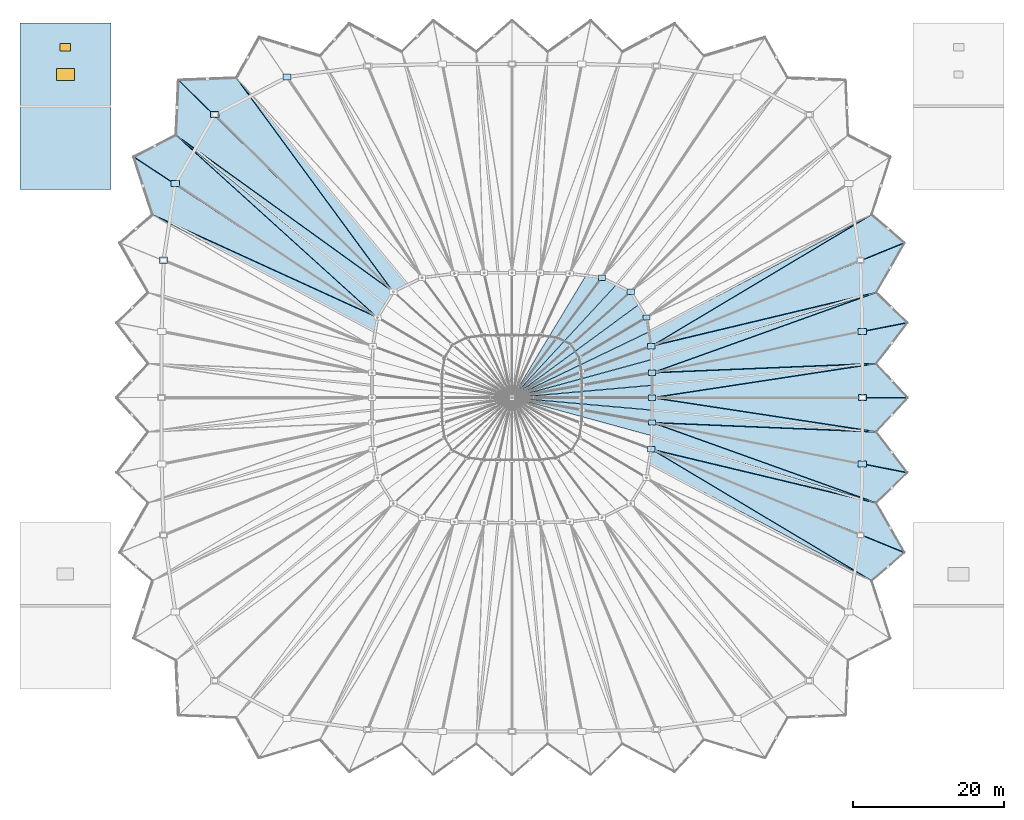
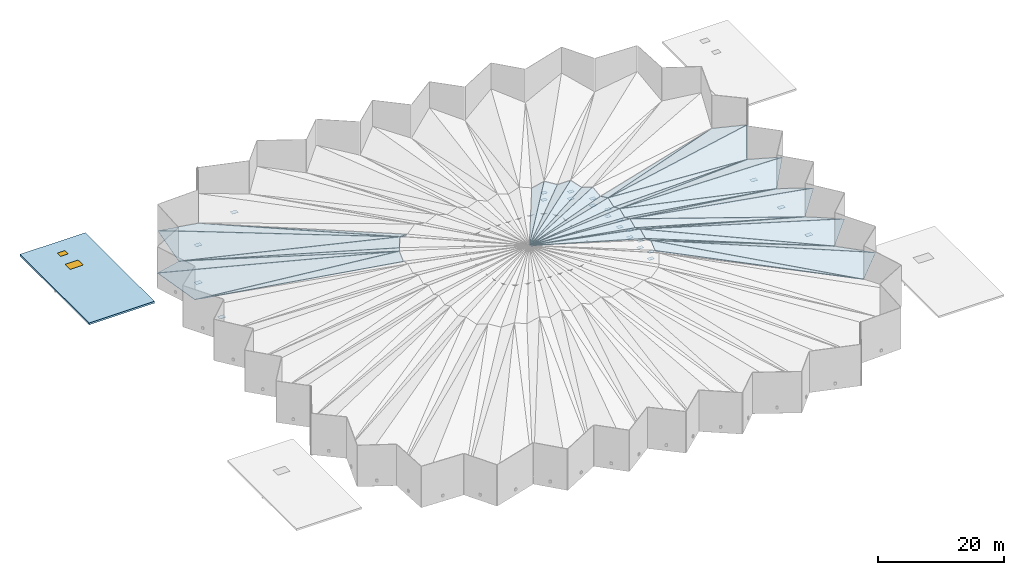
# One storey, part 31 of 41: 43 slabs, 23 plates, 2 windows, 2 openings.
"""IFC4 building model written with IfcOpenShell, lengths in metres."""

from ifc_helpers import new_model, si_unit, direction, frame, origin, origin_2d, place, context, subcontext, project, spatial, polyline, rectangle, outline, extrude, material, layer, layer_set, type_object, element, fill, save


model = new_model("IFC4")

# Units and contexts
model_context = context("Model", 3, precision=1e-05, world=origin(), true_north=direction((0.0, 1.0)))
body_context = subcontext(model_context, "Body", "Model", "MODEL_VIEW")
ifc_project = project(units=[si_unit("LENGTHUNIT", "METRE"), si_unit("AREAUNIT", "SQUARE_METRE"), si_unit("VOLUMEUNIT", "CUBIC_METRE"), si_unit("PLANEANGLEUNIT", "RADIAN"), si_unit("MASSUNIT", "GRAM", prefix="KILO")], contexts=[model_context])

# Site, building, storey
site_placement = place(None, origin())
site = spatial("IfcSite", under=ifc_project, at=site_placement, CompositionType="ELEMENT")
building_placement = place(site_placement, origin())
building = spatial("IfcBuilding", under=site, at=building_placement, Name="Luwafu Chhajja Arena", CompositionType="ELEMENT")
storey_placement = place(building_placement, frame((0.0, 0.0, 29.699951171875)))
storey = spatial("IfcBuildingStorey", under=building, at=storey_placement, Name="RF", CompositionType="ELEMENT", Elevation=29.699951171875)

# Slabs
ifc_material_1 = material(Name="Precast concrete C40/50", Category="concrete")
ifc_layer_1 = layer(ifc_material_1, 0.14990234375, Name="Precast concrete C40/50")
ifc_layer_set_1 = layer_set([ifc_layer_1], Name="Precast concrete C40/50")
slab_type_1 = type_object("IfcSlabType", Name="Cable-Net Oculus Lightweight Roof Deck 150", PredefinedType="ROOF", material=ifc_layer_set_1)
slab_1_placement = place(storey_placement, frame((117.485107421875, 49.514892578125, 7.644287109375), z_axis=(0.063288046732, 0.415072202615, 0.907584535874), x_axis=(-0.997577527363, 0.0, 0.069563473897)))
element("IfcSlab", 1, at=slab_1_placement, inside=storey, type_object=slab_type_1, Name="Cable-Net Oculus Roof Panel 01OA", PredefinedType="ROOF", context=body_context, shape_type="SweptSolid", body=[
    extrude(outline(polyline([(0.0, 0.0), (18.190305752321002, 1.1102230246251565e-16), (-0.04850853455169257, -1.7689551437254394), (0.0, 0.0)])), origin(), (0.0, 0.0, -1.0), 0.14990234375),
])
slab_2_placement = place(storey_placement, frame((117.482421875, 51.154296875, 6.908447265625), z_axis=(0.135900506909, -0.411780437345, 0.90109262767), x_axis=(-0.990133349088, -0.087813454956, 0.109200495199)))
element("IfcSlab", 2, at=slab_2_placement, inside=storey, type_object=slab_type_1, Name="Cable-Net Oculus Roof Panel 01OB", PredefinedType="ROOF", context=body_context, shape_type="SweptSolid", body=[
    extrude(outline(polyline([(0.0, 0.0), (18.321642390216887, -2.220446049250313e-16), (-0.05853716861149626, -1.768105447246157), (0.0, 0.0)])), origin(), (0.0, 0.0, -1.0), 0.14990234375),
])
slab_3_placement = place(storey_placement, frame((117.4794921875, 52.793701171875, 7.64453125), z_axis=(-0.00547318786, 0.392475323451, 0.919746250167), x_axis=(-0.98231038407, -0.174273418727, 0.068520689379)))
element("IfcSlab", 3, at=slab_3_placement, inside=storey, type_object=slab_type_1, Name="Cable-Net Oculus Roof Panel 02OA", PredefinedType="ROOF", context=body_context, shape_type="SweptSolid", body=[
    extrude(outline(polyline([(0.0, 0.0), (18.484950662066755, 3.885780586188048e-16), (-0.302126167998403, -1.8516206532487998), (0.0, 0.0)])), origin(), (0.0, 0.0, -1.0), 0.14990234375),
])
slab_4_placement = place(storey_placement, frame((117.4287109375, 54.549560546875, 6.908203125), z_axis=(0.203476377607, -0.379405244912, 0.902579095641), x_axis=(-0.959211475435, -0.262023010062, 0.10610036565)))
element("IfcSlab", 4, at=slab_4_placement, inside=storey, type_object=slab_type_1, Name="Cable-Net Oculus Roof Panel 02OB", PredefinedType="ROOF", context=body_context, shape_type="SweptSolid", body=[
    extrude(outline(polyline([(0.0, 0.0), (18.87078572588229, 5.551115123125783e-16), (-0.3254190260449908, -1.8469014641178587), (0.0, 0.0)])), origin(), (0.0, 0.0, -1.0), 0.14990234375),
])
slab_5_placement = place(storey_placement, frame((117.376220703125, 56.3046875, 7.64501953125), z_axis=(-0.066617737869, 0.357203291346, 0.93164794083), x_axis=(-0.936011865229, -0.345791605933, 0.065650235458)))
element("IfcSlab", 5, at=slab_5_placement, inside=storey, type_object=slab_type_1, Name="Cable-Net Oculus Roof Panel 03OA", PredefinedType="ROOF", context=body_context, shape_type="SweptSolid", body=[
    extrude(outline(polyline([(0.0, 0.0), (19.31920789066764, -6.106226635438361e-16), (-0.4073061738520643, -1.9882484248027403), (0.0, 0.0)])), origin(), (0.0, 0.0, -1.0), 0.14990234375),
])
slab_6_placement = place(storey_placement, frame((117.0654296875, 58.201416015625, 6.90771484375), z_axis=(0.256169574434, -0.318708073796, 0.912580030919), x_axis=(-0.896638482247, -0.431053686903, 0.101154096118)))
element("IfcSlab", 6, at=slab_6_placement, inside=storey, type_object=slab_type_1, Name="Cable-Net Oculus Roof Panel 03OB", PredefinedType="ROOF", context=body_context, shape_type="SweptSolid", body=[
    extrude(outline(polyline([(0.0, 0.0), (19.817671738606244, 9.992007221626409e-16), (-0.4555029679633833, -1.9766752891986261), (0.0, 0.0)])), origin(), (0.0, 0.0, -1.0), 0.14990234375),
])
slab_7_placement = place(storey_placement, frame((116.75048828125, 60.095703125, 7.645263671875), z_axis=(-0.130190017931, 0.332259951971, 0.934159452956), x_axis=(-0.857360759471, -0.510938711978, 0.062242756383)))
element("IfcSlab", 7, at=slab_7_placement, inside=storey, type_object=slab_type_1, Name="Cable-Net Oculus Roof Panel 04OA", PredefinedType="ROOF", context=body_context, shape_type="SweptSolid", body=[
    extrude(outline(polyline([(0.0, 0.0), (20.400372098235927, 1.2212453270876722e-15), (-0.020695135304094857, -2.096695600206359), (0.0, 0.0)])), origin(), (0.0, 0.0, -1.0), 0.14990234375),
])
slab_8_placement = place(storey_placement, frame((115.70849609375, 61.794189453125, 6.9072265625), z_axis=(0.285713376686, -0.234659713715, 0.929140831705), x_axis=(-0.802016137981, -0.589240230102, 0.097806265889)))
element("IfcSlab", 8, at=slab_8_placement, inside=storey, type_object=slab_type_1, Name="Cable-Net Oculus Roof Panel 04OB", PredefinedType="ROOF", context=body_context, shape_type="SweptSolid", body=[
    extrude(outline(polyline([(0.0, 0.0), (20.525968772360596, 1.887379141862766e-15), (-0.09021988051217014, -2.094660912716655), (0.0, 0.0)])), origin(), (0.0, 0.0, -1.0), 0.14990234375),
])
slab_9_placement = place(storey_placement, frame((114.65869140625, 63.486083984375, 7.645263671875), z_axis=(-0.208261169996, 0.318775201548, 0.92466732177), x_axis=(-0.744888141313, -0.664370200304, 0.061269028703)))
element("IfcSlab", 9, at=slab_9_placement, inside=storey, type_object=slab_type_1, Name="Cable-Net Oculus Roof Panel 05OA", PredefinedType="ROOF", context=body_context, shape_type="SweptSolid", body=[
    extrude(outline(polyline([(0.0, 0.0), (20.72458822177206, 1.942890293094024e-15), (0.7435610782854656, -2.085056907600742), (0.0, 0.0)])), origin(), (0.0, 0.0, -1.0), 0.14990234375),
])
slab_10_placement = place(storey_placement, frame((112.755126953125, 64.415283203125, 6.9072265625), z_axis=(0.299148482284, -0.147394003246, 0.942754047116), x_axis=(-0.675085835231, -0.730939090658, 0.099935783472)))
element("IfcSlab", 10, at=slab_10_placement, inside=storey, type_object=slab_type_1, Name="Cable-Net Oculus Roof Panel 05OB", PredefinedType="ROOF", context=body_context, shape_type="SweptSolid", body=[
    extrude(outline(polyline([(0.0, 0.0), (20.09835568500134, 6.661338147750939e-16), (0.6710419579323803, -2.110441655607031), (0.0, 0.0)])), origin(), (0.0, 0.0, -1.0), 0.14990234375),
])
slab_11_placement = place(storey_placement, frame((110.846923828125, 65.33837890625, 7.645263671875), z_axis=(-0.284869479915, 0.287824835594, 0.914333770255), x_axis=(-0.598307072973, -0.798626680224, 0.064992861647)))
element("IfcSlab", 11, at=slab_11_placement, inside=storey, type_object=slab_type_1, Name="Cable-Net Oculus Roof Panel 06OA", PredefinedType="ROOF", context=body_context, shape_type="SweptSolid", body=[
    extrude(outline(polyline([(0.0, 0.0), (19.518369484758203, 6.661338147750939e-16), (0.9862342511574641, -2.0061723217351393), (0.0, 0.0)])), origin(), (0.0, 0.0, -1.0), 0.14990234375),
])
slab_12_placement = place(storey_placement, frame((117.4296875, 44.4814453125, 6.908203125), z_axis=(-0.00547318786, -0.392475323451, 0.919746250167), x_axis=(-0.959214744966, 0.262011982217, 0.106098040578)))
element("IfcSlab", 12, at=slab_12_placement, inside=storey, type_object=slab_type_1, Name="Cable-Net Oculus Roof Panel 31OB", PredefinedType="ROOF", context=body_context, shape_type="SweptSolid", body=[
    extrude(outline(polyline([(0.0, 0.0), (18.878102522825447, 1.1102230246251565e-16), (0.48228186932920725, -1.81305914504829), (0.0, 0.0)])), origin(), (0.0, 0.0, -1.0), 0.14990234375),
])
slab_13_placement = place(storey_placement, frame((117.47998046875, 46.23681640625, 7.64404296875), z_axis=(0.135900506909, 0.411780437345, 0.90109262767), x_axis=(-0.982312584181, 0.174263138293, 0.068515294585)))
element("IfcSlab", 13, at=slab_13_placement, inside=storey, type_object=slab_type_1, Name="Cable-Net Oculus Roof Panel 32OA", PredefinedType="ROOF", context=body_context, shape_type="SweptSolid", body=[
    extrude(outline(polyline([(0.0, 0.0), (18.465026333242918, -4.440892098500626e-16), (0.22757186838997856, -1.7543758198881099), (0.0, 0.0)])), origin(), (0.0, 0.0, -1.0), 0.14990234375),
])
slab_14_placement = place(storey_placement, frame((117.482421875, 47.875732421875, 6.908447265625), z_axis=(0.063288046732, -0.415072202615, 0.907584535874), x_axis=(-0.99013102877, 0.087826897864, 0.109210722359)))
element("IfcSlab", 14, at=slab_14_placement, inside=storey, type_object=slab_type_1, Name="Cable-Net Oculus Roof Panel 32OB", PredefinedType="ROOF", context=body_context, shape_type="SweptSolid", body=[
    extrude(outline(polyline([(0.0, 0.0), (18.324397640619576, 1.1102230246251565e-16), (0.21904897133598988, -1.7560105143744689), (0.0, 0.0)])), origin(), (0.0, 0.0, -1.0), 0.14990234375),
])

# Slab, openings, windows
ifc_material_2 = material(Name="Concrete C35/45", Category="concrete")
ifc_layer_2 = layer(ifc_material_2, 0.360107421875, Name="Concrete C35/45")
ifc_layer_set_2 = layer_set([ifc_layer_2], Name="Concrete C35/45")
slab_type_2 = type_object("IfcSlabType", Name="Core Overrun Structural Roof Cap 360", PredefinedType="ROOF", material=ifc_layer_set_2)
slab_15_placement = place(storey_placement, frame((0.0, 0.0, -0.35986328125)))
slab_15 = element("IfcSlab", 15, at=slab_15_placement, inside=storey, type_object=slab_type_2, Name="RF Core C3 Roof Slab", PredefinedType="ROOF", context=body_context, shape_type="SweptSolid", body=[
    extrude(outline(polyline([(34.0, 77.0), (46.0, 77.0), (46.0, 99.0), (34.0, 99.0), (34.0, 77.0)])), origin(), (0.0, 0.0, 1.0), 0.35986328125),
])
opening_1_placement = place(slab_15_placement, frame((40.0, 95.800048828125, -0.010009765625)))
opening_1 = element("IfcOpeningElement", 16, at=opening_1_placement, cuts=slab_15, Name="Opening RH-03", PredefinedType="OPENING", context=body_context, shape_type="SweptSolid", body=[
    extrude(rectangle(XDim=1.39990234375, YDim=1.050048828125, at=origin_2d()), origin(), (0.0, 0.0, 1.0), 0.3798828125),
])
opening_2_placement = place(slab_15_placement, frame((40.0, 92.199951171875, -0.010009765625)))
opening_2 = element("IfcOpeningElement", 17, at=opening_2_placement, cuts=slab_15, Name="Opening SK-03", PredefinedType="OPENING", context=body_context, shape_type="SweptSolid", body=[
    extrude(rectangle(XDim=2.39990234375, YDim=1.60009765625, at=origin_2d()), origin(), (0.0, 0.0, 1.0), 0.3798828125),
])
ifc_material_3 = material(Name="Solar-control laminated glass", Category="glass")
window_type_1 = type_object("IfcWindowType", Name="Core Lobby Smoke-Vent Rooflight 2400x1600", PartitioningType="SINGLE_PANEL", PredefinedType="SKYLIGHT", material=ifc_material_3)
window_1_placement = place(opening_2_placement, frame((0.0, 0.0, 0.31982421875)))
window_1 = element("IfcWindow", 18, at=window_1_placement, inside=storey, type_object=window_type_1, Name="RF Roof Skylight and Access Hatch 07", OverallHeight=1.60009765625, OverallWidth=2.39990234375, PartitioningType="SINGLE_PANEL", PredefinedType="SKYLIGHT", context=body_context, shape_type="SweptSolid", body=[
    extrude(rectangle(XDim=2.39990234375, YDim=1.60009765625, at=origin_2d()), origin(), (0.0, 0.0, 1.0), 0.050048828125),
])
fill(opening_2, window_1)
window_type_2 = type_object("IfcWindowType", Name="Oculus Catwalk Access Roof Hatch 1400x1050", PartitioningType="SINGLE_PANEL", PredefinedType="SKYLIGHT", material=ifc_material_3)
window_2_placement = place(opening_1_placement, frame((0.0, 0.0, 0.31982421875)))
window_2 = element("IfcWindow", 19, at=window_2_placement, inside=storey, type_object=window_type_2, Name="RF Roof Skylight and Access Hatch 03", OverallHeight=1.050048828125, OverallWidth=1.39990234375, PartitioningType="SINGLE_PANEL", PredefinedType="SKYLIGHT", context=body_context, shape_type="SweptSolid", body=[
    extrude(rectangle(XDim=1.39990234375, YDim=1.050048828125, at=origin_2d()), origin(), (0.0, 0.0, 1.0), 0.050048828125),
])
fill(opening_1, window_2)

# Plates
ifc_material_4 = material(Name="Steel S355", Category="steel")
ifc_layer_3 = layer(ifc_material_4, 0.030029296875, Name="Steel S355")
ifc_layer_set_3 = layer_set([ifc_layer_3], Name="Steel S355")
plate_type_1 = type_object("IfcPlateType", Name="Inner Tension Ring Node Plate RN-2", PredefinedType="USERDEFINED", material=ifc_layer_set_3)
for number, where, z_axis, x_axis, name in (
    (20, (117.5, 49.5, 5.43505859375), (0.0, 0.0, 1.0), (1.0, 0.0, 0.0), "Inner Ring Upper Node Plate RN-2 01"),
    (21, (117.5, 49.5, 4.0849609375), (0.0, 0.0, 1.0), (1.0, 0.0, 0.0), "Inner Ring Lower Node Plate RN-2 01"),
    (22, (117.4951171875, 52.78125, 5.43505859375), (0.0, 0.0, 1.0), (1.0, 0.0, 0.0), "Inner Ring Upper Node Plate RN-2 02"),
    (23, (117.4951171875, 52.78125, 4.0849609375), (0.0, 0.0, 1.0), (1.0, 0.0, 0.0), "Inner Ring Lower Node Plate RN-2 02"),
    (24, (117.392822265625, 56.294921875, 5.43505859375), (0.0, 0.0, 1.0), (1.0, 0.0, 0.0), "Inner Ring Upper Node Plate RN-2 03"),
    (25, (117.392822265625, 56.294921875, 4.0849609375), (0.0, 0.0, 1.0), (1.0, 0.0, 0.0), "Inner Ring Lower Node Plate RN-2 03"),
    (26, (116.771240234375, 60.090576171875, 5.43505859375), (0.0, 0.0, 1.0), (1.0, 0.0, 0.0), "Inner Ring Upper Node Plate RN-2 04"),
    (27, (116.771240234375, 60.090576171875, 4.0849609375), (0.0, 0.0, 1.0), (1.0, 0.0, 0.0), "Inner Ring Lower Node Plate RN-2 04"),
    (28, (114.685546875, 63.48974609375, 5.43505859375), (0.0, 0.0, 1.0), (1.0, 0.0, 0.0), "Inner Ring Upper Node Plate RN-2 05"),
    (29, (114.685546875, 63.48974609375, 4.0849609375), (0.0, 0.0, 1.0), (1.0, 0.0, 0.0), "Inner Ring Lower Node Plate RN-2 05"),
    (30, (110.874267578125, 65.35009765625, 5.43505859375), (0.0, 0.0, 1.0), (1.0, 0.0, 0.0), "Inner Ring Upper Node Plate RN-2 06"),
    (31, (110.874267578125, 65.35009765625, 4.0849609375), (0.0, 0.0, 1.0), (1.0, 0.0, 0.0), "Inner Ring Lower Node Plate RN-2 06"),
    (32, (117.392822265625, 42.705078125, 5.43505859375), (0.0, 0.0, 1.0), (1.0, 0.0, 0.0), "Inner Ring Upper Node Plate RN-2 31"),
    (33, (117.392822265625, 42.705078125, 4.0849609375), (0.0, 0.0, 1.0), (1.0, 0.0, 0.0), "Inner Ring Lower Node Plate RN-2 31"),
    (34, (117.4951171875, 46.21875, 5.43505859375), (0.0, 0.0, 1.0), (1.0, 0.0, 0.0), "Inner Ring Upper Node Plate RN-2 32"),
    (35, (117.4951171875, 46.21875, 4.0849609375), (0.0, 0.0, 1.0), (1.0, 0.0, 0.0), "Inner Ring Lower Node Plate RN-2 32"),
):
    element("IfcPlate", number, at=place(storey_placement, frame(where, z_axis=z_axis, x_axis=x_axis)), inside=storey, type_object=plate_type_1, Name=name, ObjectType="GUSSET PLATE", PredefinedType="USERDEFINED", context=body_context, shape_type="SweptSolid", body=[
        extrude(rectangle(XDim=0.949951171875, YDim=0.699951171875, at=origin_2d()), origin(), (0.0, 0.0, 1.0), 0.030029296875),
    ])
ifc_layer_4 = layer(ifc_material_4, 0.031982421875, Name="Steel S355")
ifc_layer_set_4 = layer_set([ifc_layer_4], Name="Steel S355")
plate_type_2 = type_object("IfcPlateType", Name="Ring Beam Kink Node Gusset Plate RN-1", PredefinedType="USERDEFINED", material=ifc_layer_set_4)
for number, where, z_axis, x_axis, name in (
    (36, (145.300048828125, 49.5, 0.1640625), (0.0, 0.0, 1.0), (1.0, 0.0, 0.0), "Outer Ring Node Gusset Plate RN-1 01"),
    (37, (145.28759765625, 58.269775390625, 0.1640625), (0.0, 0.0, 1.0), (1.0, 0.0, 0.0), "Outer Ring Node Gusset Plate RN-1 02"),
    (38, (69.281982421875, 91.86279296875, 0.1640625), (0.0, 0.0, 1.0), (1.0, 0.0, 0.0), "Outer Ring Node Gusset Plate RN-1 12"),
    (39, (59.743896484375, 86.890869140625, 0.1640625), (0.0, 0.0, 1.0), (1.0, 0.0, 0.0), "Outer Ring Node Gusset Plate RN-1 13"),
    (40, (54.52392578125, 77.805908203125, 0.1640625), (0.0, 0.0, 1.0), (1.0, 0.0, 0.0), "Outer Ring Node Gusset Plate RN-1 14"),
    (41, (52.968017578125, 67.6611328125, 0.1640625), (0.0, 0.0, 1.0), (1.0, 0.0, 0.0), "Outer Ring Node Gusset Plate RN-1 15"),
    (42, (145.28759765625, 40.730224609375, 0.1640625), (0.0, 0.0, 1.0), (1.0, 0.0, 0.0), "Outer Ring Node Gusset Plate RN-1 32"),
):
    element("IfcPlate", number, at=place(storey_placement, frame(where, z_axis=z_axis, x_axis=x_axis)), inside=storey, type_object=plate_type_2, Name=name, ObjectType="GUSSET PLATE", PredefinedType="USERDEFINED", context=body_context, shape_type="SweptSolid", body=[
        extrude(rectangle(XDim=1.10009765625, YDim=0.800048828125, at=origin_2d()), origin(), (0.0, 0.0, 1.0), 0.031982421875),
    ])

# Slabs
ifc_layer_5 = layer(ifc_material_1, 0.179931640625, Name="Precast concrete C40/50")
ifc_layer_set_5 = layer_set([ifc_layer_5], Name="Precast concrete C40/50")
slab_type_3 = type_object("IfcSlabType", Name="White Folded Bowl Roof Panel 180", PredefinedType="ROOF", material=ifc_layer_set_5)
slab_16_placement = place(storey_placement, frame((151.240478515625, 49.52587890625, 1.84765625), z_axis=(0.152837223269, 0.428210696302, 0.890660643992), x_axis=(-0.985594130068, 0.0, 0.169127794212)))
element("IfcSlab", 43, at=slab_16_placement, inside=storey, type_object=slab_type_3, Name="White Folded Bowl Roof Panel 01A1", PredefinedType="ROOF", context=body_context, shape_type="SweptSolid", body=[
    extrude(outline(polyline([(0.0, 0.0), (33.885364957035705, 0.0), (3.8396428042095327, -4.933176694668036), (0.0, 0.0)])), origin(), (0.0, 0.0, -1.0), 0.179931640625),
])
slab_17_placement = place(storey_placement, frame((146.16259765625, 53.893798828125, 0.61962890625), z_axis=(0.157304129906, 0.410787097168, 0.898058668192), x_axis=(-0.960839492776, -0.146408097926, 0.235270350839)))
element("IfcSlab", 44, at=slab_17_placement, inside=storey, type_object=slab_type_3, Name="White Folded Bowl Roof Panel 01A2", PredefinedType="ROOF", context=body_context, shape_type="SweptSolid", body=[
    extrude(outline(polyline([(0.0, 0.0), (29.803852740555755, 0.0), (29.40324579577084, -1.6979876912190055), (0.0, 0.0)])), origin(), (0.0, 0.0, -1.0), 0.179931640625),
])
slab_18_placement = place(storey_placement, frame((147.09521484375, 54.037109375, 0.41552734375), z_axis=(0.232545466012, -0.415631522995, 0.879302589175), x_axis=(-0.970523593505, -0.040327474536, 0.237608184304)))
element("IfcSlab", 45, at=slab_18_placement, inside=storey, type_object=slab_type_3, Name="White Folded Bowl Roof Panel 01B1", PredefinedType="ROOF", context=body_context, shape_type="SweptSolid", body=[
    extrude(outline(polyline([(0.0, 0.0), (30.148684649654246, 4.440892098500626e-16), (-3.845575549395973, -5.68458138045554), (0.0, 0.0)])), origin(), (0.0, 0.0, -1.0), 0.179931640625),
])
slab_19_placement = place(storey_placement, frame((146.16748046875, 53.946533203125, 0.61865234375), z_axis=(0.233327211876, -0.40400004587, 0.884501201319), x_axis=(-0.972394134546, -0.094283924063, 0.213448328087)))
element("IfcSlab", 46, at=slab_19_placement, inside=storey, type_object=slab_type_3, Name="White Folded Bowl Roof Panel 01B2", PredefinedType="ROOF", context=body_context, shape_type="SweptSolid", body=[
    extrude(outline(polyline([(0.0, 0.0), (29.4572354471383, 0.0), (29.46484105799929, -1.745134444560831), (0.0, 0.0)])), origin(), (0.0, 0.0, -1.0), 0.179931640625),
])
slab_20_placement = place(storey_placement, frame((151.19580078125, 59.412109375, 1.847412109375), z_axis=(0.076159084034, 0.408798622505, 0.909441301106), x_axis=(-0.967672713181, -0.189634794839, 0.166277372939)))
element("IfcSlab", 47, at=slab_20_placement, inside=storey, type_object=slab_type_3, Name="White Folded Bowl Roof Panel 02A1", PredefinedType="ROOF", context=body_context, shape_type="SweptSolid", body=[
    extrude(outline(polyline([(0.0, 0.0), (34.48239815667135, -4.440892098500626e-16), (2.978762867219943, -5.060203920437484), (0.0, 0.0)])), origin(), (0.0, 0.0, -1.0), 0.179931640625),
])
slab_21_placement = place(storey_placement, frame((146.188232421875, 63.093994140625, 0.612060546875), z_axis=(0.083195208522, 0.393385936819, 0.915601475529), x_axis=(-0.917296724177, -0.328805079134, 0.22461954445)))
element("IfcSlab", 48, at=slab_21_placement, inside=storey, type_object=slab_type_3, Name="White Folded Bowl Roof Panel 02A2", PredefinedType="ROOF", context=body_context, shape_type="SweptSolid", body=[
    extrude(outline(polyline([(0.0, 0.0), (31.25293281335121, 8.881784197001252e-16), (30.575751613941307, -1.7217872248981418), (0.0, 0.0)])), origin(), (0.0, 0.0, -1.0), 0.179931640625),
])
slab_22_placement = place(storey_placement, frame((147.086181640625, 63.4169921875, 0.415283203125), z_axis=(0.302446778126, -0.367668357896, 0.879400889813), x_axis=(-0.946330262916, -0.226125866876, 0.230924502422)))
element("IfcSlab", 49, at=slab_22_placement, inside=storey, type_object=slab_type_3, Name="White Folded Bowl Roof Panel 02B1", PredefinedType="ROOF", context=body_context, shape_type="SweptSolid", body=[
    extrude(outline(polyline([(0.0, 0.0), (31.035026477040656, 0.0), (-4.6526517314935125, -6.023540389165632), (0.0, 0.0)])), origin(), (0.0, 0.0, -1.0), 0.179931640625),
])
slab_23_placement = place(storey_placement, frame((146.199951171875, 63.15185546875, 0.609130859375), z_axis=(0.302361183208, -0.366897562931, 0.879752177152), x_axis=(-0.937740950345, -0.280010681286, 0.205513815625)))
element("IfcSlab", 50, at=slab_23_placement, inside=storey, type_object=slab_type_3, Name="White Folded Bowl Roof Panel 02B2", PredefinedType="ROOF", context=body_context, shape_type="SweptSolid", body=[
    extrude(outline(polyline([(0.0, 0.0), (30.638479657621023, 8.881784197001252e-16), (30.357772036231673, -1.8298594502525773), (0.0, 0.0)])), origin(), (0.0, 0.0, -1.0), 0.179931640625),
])
slab_24_placement = place(storey_placement, frame((150.813720703125, 69.963134765625, 1.847412109375), z_axis=(0.008979229761, 0.372079845731, 0.928157293692), x_axis=(-0.914167805627, -0.373099041075, 0.158411895712)))
element("IfcSlab", 51, at=slab_24_placement, inside=storey, type_object=slab_type_3, Name="White Folded Bowl Roof Panel 03A1", PredefinedType="ROOF", context=body_context, shape_type="SweptSolid", body=[
    extrude(outline(polyline([(0.0, 0.0), (36.22072031242352, 2.220446049250313e-15), (2.3408915322290422, -5.360544632985453), (0.0, 0.0)])), origin(), (0.0, 0.0, -1.0), 0.179931640625),
])
slab_25_placement = place(storey_placement, frame((145.66162109375, 73.204833984375, 0.597900390625), z_axis=(0.011055503646, 0.369083721224, 0.929330394729), x_axis=(-0.839607024432, -0.501337743175, 0.209094504455)))
element("IfcSlab", 52, at=slab_25_placement, inside=storey, type_object=slab_type_3, Name="White Folded Bowl Roof Panel 03A2", PredefinedType="ROOF", context=body_context, shape_type="SweptSolid", body=[
    extrude(outline(polyline([(0.0, 0.0), (33.64582090918879, 2.220446049250313e-15), (32.82376352824371, -1.8265443613757122), (0.0, 0.0)])), origin(), (0.0, 0.0, -1.0), 0.179931640625),
])
slab_26_placement = place(storey_placement, frame((62.561279296875, 91.736572265625, 0.412353515625), z_axis=(0.161137255306, 0.354404275821, 0.921103899803), x_axis=(0.579235183841, -0.789612675582, 0.20248067651)))
element("IfcSlab", 53, at=slab_26_placement, inside=storey, type_object=slab_type_3, Name="White Folded Bowl Roof Panel 12B1", PredefinedType="ROOF", context=body_context, shape_type="SweptSolid", body=[
    extrude(outline(polyline([(0.0, 0.0), (35.461042036334, 1.7763568394002505e-15), (-3.8776079155419128, -6.679837412735317), (0.0, 0.0)])), origin(), (0.0, 0.0, -1.0), 0.179931640625),
])
slab_27_placement = place(storey_placement, frame((63.117919921875, 91.065673828125, 0.572509765625), z_axis=(0.180447652785, 0.366431112865, 0.912779756638), x_axis=(0.627425116376, -0.757566425291, 0.180085631331)))
element("IfcSlab", 54, at=slab_27_placement, inside=storey, type_object=slab_type_3, Name="White Folded Bowl Roof Panel 12B2", PredefinedType="ROOF", context=body_context, shape_type="SweptSolid", body=[
    extrude(outline(polyline([(0.0, 0.0), (35.161224153217546, -2.220446049250313e-15), (34.8143942493865, -2.1635355698160272), (0.0, 0.0)])), origin(), (0.0, 0.0, -1.0), 0.179931640625),
])
slab_28_placement = place(storey_placement, frame((54.939697265625, 91.41650390625, 1.84814453125), z_axis=(-0.353421468747, -0.167903699756, 0.920272575402), x_axis=(0.704833888288, -0.694612783978, 0.143952319384)))
element("IfcSlab", 55, at=slab_28_placement, inside=storey, type_object=slab_type_3, Name="White Folded Bowl Roof Panel 13A1", PredefinedType="ROOF", context=body_context, shape_type="SweptSolid", body=[
    extrude(outline(polyline([(0.0, 0.0), (39.88951011411651, 1.3322676295501878e-15), (4.577811015145916, -5.756817598782042), (0.0, 0.0)])), origin(), (0.0, 0.0, -1.0), 0.179931640625),
])
slab_29_placement = place(storey_placement, frame((55.33837890625, 83.631591796875, 0.580322265625), z_axis=(-0.361806712536, -0.18157973858, 0.914398546205), x_axis=(0.794617625717, -0.573002569139, 0.200626231238)))
element("IfcSlab", 56, at=slab_29_placement, inside=storey, type_object=slab_type_3, Name="White Folded Bowl Roof Panel 13A2", PredefinedType="ROOF", context=body_context, shape_type="SweptSolid", body=[
    extrude(outline(polyline([(0.0, 0.0), (35.16333560408419, 1.7763568394002505e-15), (35.158067416056674, -2.0731458079078604), (0.0, 0.0)])), origin(), (0.0, 0.0, -1.0), 0.179931640625),
])
slab_30_placement = place(storey_placement, frame((54.594970703125, 84.165283203125, 0.412109375), z_axis=(0.06185715669, 0.349501243719, 0.934891743896), x_axis=(0.726707097808, -0.65784040794, 0.197845373151)))
element("IfcSlab", 57, at=slab_30_placement, inside=storey, type_object=slab_type_3, Name="White Folded Bowl Roof Panel 13B1", PredefinedType="ROOF", context=body_context, shape_type="SweptSolid", body=[
    extrude(outline(polyline([(0.0, 0.0), (36.280749968106676, 8.881784197001252e-16), (-1.8590390055788875, -6.119744975137139), (0.0, 0.0)])), origin(), (0.0, 0.0, -1.0), 0.179931640625),
])
slab_31_placement = place(storey_placement, frame((55.31640625, 83.58251953125, 0.58154296875), z_axis=(0.075959972314, 0.363196340419, 0.928611060085), x_axis=(0.764542564454, -0.619051436644, 0.17958281078)))
element("IfcSlab", 58, at=slab_31_placement, inside=storey, type_object=slab_type_3, Name="White Folded Bowl Roof Panel 13B2", PredefinedType="ROOF", context=body_context, shape_type="SweptSolid", body=[
    extrude(outline(polyline([(0.0, 0.0), (35.2120912945584, 5.773159728050814e-15), (35.5910389273561, -2.0378176200391755), (0.0, 0.0)])), origin(), (0.0, 0.0, -1.0), 0.179931640625),
])
slab_32_placement = place(storey_placement, frame((49.0537109375, 81.245361328125, 1.8486328125), z_axis=(-0.347395801281, -0.283216121424, 0.89392661098), x_axis=(0.825919912879, -0.543832604017, 0.148668746945)))
element("IfcSlab", 59, at=slab_32_placement, inside=storey, type_object=slab_type_3, Name="White Folded Bowl Roof Panel 14A1", PredefinedType="ROOF", context=body_context, shape_type="SweptSolid", body=[
    extrude(outline(polyline([(0.0, 0.0), (38.59776427747351, 2.6645352591003757e-15), (5.926613073450253, -5.475910037745562), (0.0, 0.0)])), origin(), (0.0, 0.0, -1.0), 0.179931640625),
])
slab_33_placement = place(storey_placement, frame((52.331787109375, 73.266845703125, 0.594482421875), z_axis=(-0.351075622232, -0.293896982713, 0.889027823539), x_axis=(0.887961663394, -0.405764627027, 0.216515938897)))
element("IfcSlab", 60, at=slab_33_placement, inside=storey, type_object=slab_type_3, Name="White Folded Bowl Roof Panel 14A2", PredefinedType="ROOF", context=body_context, shape_type="SweptSolid", body=[
    extrude(outline(polyline([(0.0, 0.0), (32.51059730682904, 0.0), (32.832598766420354, -1.9780461072033413), (0.0, 0.0)])), origin(), (0.0, 0.0, -1.0), 0.179931640625),
])
slab_34_placement = place(storey_placement, frame((146.50146484375, 25.354248046875, 0.412841796875), z_axis=(0.008979229761, -0.372079845731, 0.928157293692), x_axis=(-0.839605849032, 0.501337853295, 0.209098960122)))
element("IfcSlab", 61, at=slab_34_placement, inside=storey, type_object=slab_type_3, Name="White Folded Bowl Roof Panel 30B1", PredefinedType="ROOF", context=body_context, shape_type="SweptSolid", body=[
    extrude(outline(polyline([(0.0, 0.0), (34.30128622861719, -1.7763568394002505e-15), (-1.4743926861991823, -5.660510412919769), (0.0, 0.0)])), origin(), (0.0, 0.0, -1.0), 0.179931640625),
])
slab_35_placement = place(storey_placement, frame((145.66162109375, 25.795166015625, 0.597900390625), z_axis=(0.011055503646, -0.369083721224, 0.929330394729), x_axis=(-0.868484272299, 0.457082132553, 0.19186191094)))
element("IfcSlab", 62, at=slab_35_placement, inside=storey, type_object=slab_type_3, Name="White Folded Bowl Roof Panel 30B2", PredefinedType="ROOF", context=body_context, shape_type="SweptSolid", body=[
    extrude(outline(polyline([(0.0, 0.0), (32.87454511414774, 1.1102230246251565e-15), (33.59384792708732, -1.8693972571224444), (0.0, 0.0)])), origin(), (0.0, 0.0, -1.0), 0.179931640625),
])
slab_36_placement = place(storey_placement, frame((150.802734375, 29.097412109375, 1.8486328125), z_axis=(0.302446778126, 0.367668357896, 0.879400889813), x_axis=(-0.914166843671, 0.373100414134, 0.158414213081)))
element("IfcSlab", 63, at=slab_36_placement, inside=storey, type_object=slab_type_3, Name="White Folded Bowl Roof Panel 31A1", PredefinedType="ROOF", context=body_context, shape_type="SweptSolid", body=[
    extrude(outline(polyline([(0.0, 0.0), (36.192449692384656, 1.3322676295501878e-15), (5.590264774821287, -5.165186027808828), (0.0, 0.0)])), origin(), (0.0, 0.0, -1.0), 0.179931640625),
])
slab_37_placement = place(storey_placement, frame((146.199951171875, 35.84814453125, 0.609130859375), z_axis=(0.302361183208, 0.366897562931, 0.879752177152), x_axis=(-0.9463268954, 0.226127856101, 0.230936354302)))
element("IfcSlab", 64, at=slab_37_placement, inside=storey, type_object=slab_type_3, Name="White Folded Bowl Roof Panel 31A2", PredefinedType="ROOF", context=body_context, shape_type="SweptSolid", body=[
    extrude(outline(polyline([(0.0, 0.0), (30.412870772281405, 4.440892098500626e-16), (30.582972187896765, -1.8434337212903502), (0.0, 0.0)])), origin(), (0.0, 0.0, -1.0), 0.179931640625),
])
slab_38_placement = place(storey_placement, frame((147.0966796875, 35.635498046875, 0.4140625), z_axis=(0.076159084034, -0.408798622505, 0.909441301106), x_axis=(-0.917295623788, 0.328809055763, 0.224618217043)))
element("IfcSlab", 65, at=slab_38_placement, inside=storey, type_object=slab_type_3, Name="White Folded Bowl Roof Panel 31B1", PredefinedType="ROOF", context=body_context, shape_type="SweptSolid", body=[
    extrude(outline(polyline([(0.0, 0.0), (31.907439573979907, 4.440892098500626e-16), (-2.1385669354018773, -5.4685668504961225), (0.0, 0.0)])), origin(), (0.0, 0.0, -1.0), 0.179931640625),
])
slab_39_placement = place(storey_placement, frame((146.188232421875, 35.906005859375, 0.612060546875), z_axis=(0.083195208522, -0.393385936819, 0.915601475529), x_axis=(-0.937739982196, 0.280013764992, 0.205514031651)))
element("IfcSlab", 66, at=slab_39_placement, inside=storey, type_object=slab_type_3, Name="White Folded Bowl Roof Panel 31B2", PredefinedType="ROOF", context=body_context, shape_type="SweptSolid", body=[
    extrude(outline(polyline([(0.0, 0.0), (30.624192038407422, 4.440892098500626e-16), (31.20349786566699, -1.7571369847452938), (0.0, 0.0)])), origin(), (0.0, 0.0, -1.0), 0.179931640625),
])
slab_40_placement = place(storey_placement, frame((151.187255859375, 39.642578125, 1.84814453125), z_axis=(0.232545466012, 0.415631522995, 0.879302589175), x_axis=(-0.967672011674, 0.189638497156, 0.166277233014)))
element("IfcSlab", 67, at=slab_40_placement, inside=storey, type_object=slab_type_3, Name="White Folded Bowl Roof Panel 32A1", PredefinedType="ROOF", context=body_context, shape_type="SweptSolid", body=[
    extrude(outline(polyline([(0.0, 0.0), (34.466276154405655, 0.0), (4.730478006439729, -4.9724736910036995), (0.0, 0.0)])), origin(), (0.0, 0.0, -1.0), 0.179931640625),
])
slab_41_placement = place(storey_placement, frame((146.16748046875, 45.053466796875, 0.61865234375), z_axis=(0.233327211876, 0.40400004587, 0.884501201319), x_axis=(-0.970525221868, 0.040322752238, 0.237602334521)))
element("IfcSlab", 68, at=slab_41_placement, inside=storey, type_object=slab_type_3, Name="White Folded Bowl Roof Panel 32A2", PredefinedType="ROOF", context=body_context, shape_type="SweptSolid", body=[
    extrude(outline(polyline([(0.0, 0.0), (29.516475955011185, 0.0), (29.405704183010204, -1.741631904116645), (0.0, 0.0)])), origin(), (0.0, 0.0, -1.0), 0.179931640625),
])
slab_42_placement = place(storey_placement, frame((147.098876953125, 45.01611328125, 0.4150390625), z_axis=(0.152837223269, -0.428210696302, 0.890660643992), x_axis=(-0.960838159378, 0.146413739268, 0.23527228574)))
element("IfcSlab", 69, at=slab_42_placement, inside=storey, type_object=slab_type_3, Name="White Folded Bowl Roof Panel 32B1", PredefinedType="ROOF", context=body_context, shape_type="SweptSolid", body=[
    extrude(outline(polyline([(0.0, 0.0), (30.448015567285257, 4.440892098500626e-16), (-2.989640108380904, -5.490094824963783), (0.0, 0.0)])), origin(), (0.0, 0.0, -1.0), 0.179931640625),
])
slab_43_placement = place(storey_placement, frame((146.16259765625, 45.106201171875, 0.61962890625), z_axis=(0.157304129906, -0.410787097168, 0.898058668192), x_axis=(-0.972393509464, 0.094283359561, 0.213451425065)))
element("IfcSlab", 70, at=slab_43_placement, inside=storey, type_object=slab_type_3, Name="White Folded Bowl Roof Panel 32B2", PredefinedType="ROOF", context=body_context, shape_type="SweptSolid", body=[
    extrude(outline(polyline([(0.0, 0.0), (29.452232946349703, 0.0), (29.75428074970904, -1.718259365819652), (0.0, 0.0)])), origin(), (0.0, 0.0, -1.0), 0.179931640625),
])

save(model, "model.ifc")
